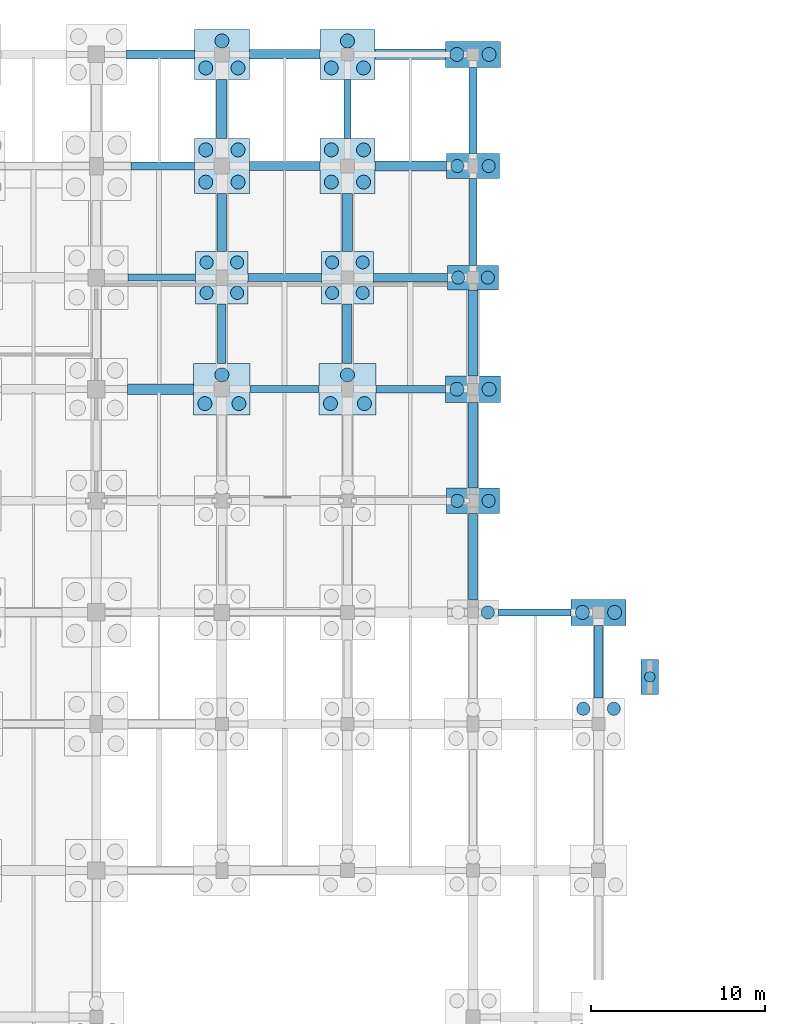
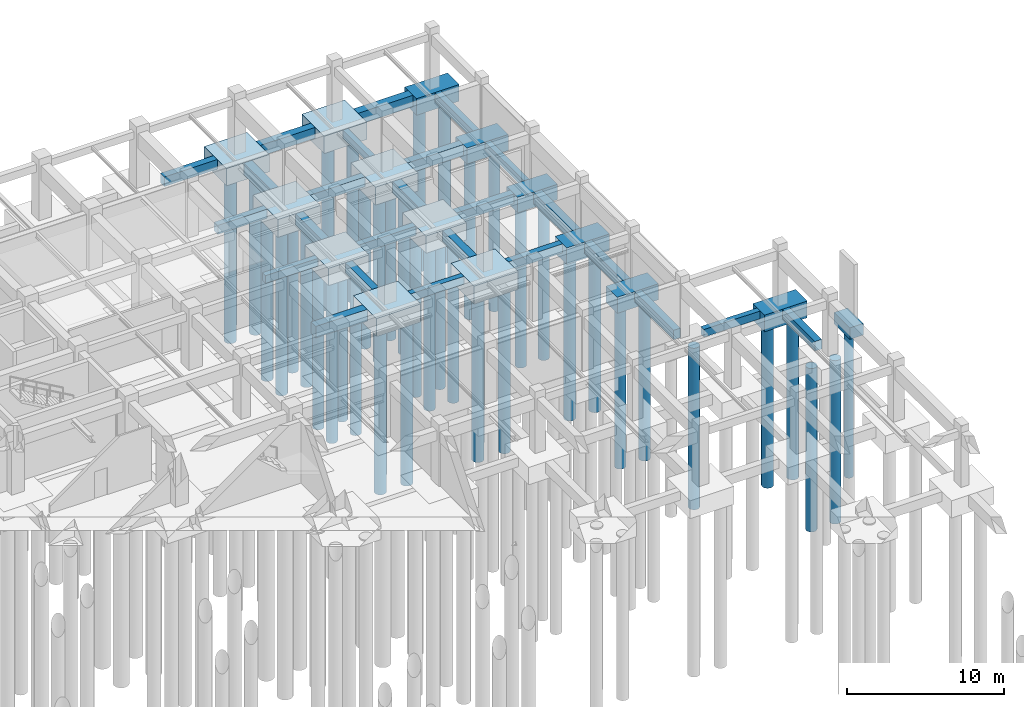
# One storey, part 15 of 44: 44 piles, 40 footings.
"""IFC4 building model written with IfcOpenShell, lengths in metres."""

import ifcopenshell
import ifcopenshell.guid

model = None  # the IFC model being written
_history = None  # IfcOwnerHistory: only IFC2X3 demands one
_inside = {}  # id of a spatial element -> (the spatial element, [elements in it])
_under = {}  # id of a project, library or spatial element -> (it, [spatial elements below it])
_declared = {}  # id of a project -> (the project, [libraries it declares])
_typed = {}  # id of a type object -> (the type object, [elements of that type])
_made_of = {}  # id of a material, layer set ... -> (it, [elements and type objects made of it])


def new_model(schema):
    """Start an empty IFC model of exactly this schema.

    Asked for "IFC4X3", IfcOpenShell would pick the latest addendum, in which some entities
    have other attributes; the version numbers below select the first issue.
    IFC2X3 requires an IfcOwnerHistory on every rooted entity: one is made here for all.
    """
    global model, _history
    if schema == "IFC4X3":
        model = ifcopenshell.file(schema_version=(4, 3, 0, 0))
    else:
        model = ifcopenshell.file(schema=schema)
    _inside.clear()
    _under.clear()
    _declared.clear()
    _typed.clear()
    _made_of.clear()
    _history = None
    if model.schema == "IFC2X3":
        org = make("IfcOrganization", Name="unknown")
        user = make(
            "IfcPersonAndOrganization",
            ThePerson=make("IfcPerson", FamilyName="unknown"),
            TheOrganization=org,
        )
        app = make(
            "IfcApplication",
            ApplicationDeveloper=org,
            Version="unknown",
            ApplicationFullName="unknown",
            ApplicationIdentifier="unknown",
        )
        _history = make(
            "IfcOwnerHistory",
            OwningUser=user,
            OwningApplication=app,
            ChangeAction="ADDED",
            CreationDate=0,
        )
    return model


def make(cls, **values):
    """One entity of the class cls with the attributes given. An attribute that is None is left unset."""
    return model.create_entity(
        cls, **{name: value for name, value in values.items() if value is not None}
    )


def rooted(cls, **values):
    """An entity with a GlobalId (a new one), such as an element, a storey or a relation."""
    return make(cls, GlobalId=ifcopenshell.guid.new(), OwnerHistory=_history, **values)


def si_unit(unit_type, name, prefix=None):
    """IfcSIUnit, for example si_unit("LENGTHUNIT", "METRE", prefix="MILLI")."""
    return make("IfcSIUnit", UnitType=unit_type, Prefix=prefix, Name=name)


def assignment(units):
    """IfcUnitAssignment: the units of a project."""
    return None if units is None else make("IfcUnitAssignment", Units=units)


def point(xyz):
    """IfcCartesianPoint."""
    return None if xyz is None else make("IfcCartesianPoint", Coordinates=xyz)


def direction(xyz):
    """IfcDirection."""
    return None if xyz is None else make("IfcDirection", DirectionRatios=xyz)


def frame(location, z_axis=None, x_axis=None):
    """IfcAxis2Placement3D, a coordinate frame: its origin and axes. An axis left out is left unset."""
    return make(
        "IfcAxis2Placement3D",
        Location=point(location),
        Axis=direction(z_axis),
        RefDirection=direction(x_axis),
    )


def frame_2d(location, x_axis=None):
    """IfcAxis2Placement2D, a coordinate frame in the plane: its origin and x axis."""
    return make(
        "IfcAxis2Placement2D", Location=point(location), RefDirection=direction(x_axis)
    )


def origin():
    """The frame at (0, 0, 0) with its axes left unset."""
    return frame((0.0, 0.0, 0.0))


def origin_2d():
    """The frame at (0, 0) in the plane with its x axis left unset."""
    return frame_2d((0.0, 0.0))


def place(relative_to, where):
    """IfcLocalPlacement: puts the frame where relative to a parent placement (None: the world)."""
    return make(
        "IfcLocalPlacement", PlacementRelTo=relative_to, RelativePlacement=where
    )


def context(
    kind, dimensions, precision=None, world=None, true_north=None, identifier=None
):
    """IfcGeometricRepresentationContext, for example the 3D "Model" context."""
    return make(
        "IfcGeometricRepresentationContext",
        ContextIdentifier=identifier,
        ContextType=kind,
        CoordinateSpaceDimension=dimensions,
        Precision=precision,
        WorldCoordinateSystem=world,
        TrueNorth=true_north,
    )


def subcontext(parent, identifier, kind, view, scale=None):
    """IfcGeometricRepresentationSubContext, for example "Body" below "Model"."""
    return make(
        "IfcGeometricRepresentationSubContext",
        ContextIdentifier=identifier,
        ContextType=kind,
        ParentContext=parent,
        TargetScale=scale,
        TargetView=view,
    )


def project(units=None, contexts=None):
    """IfcProject with its units and contexts."""
    return rooted(
        "IfcProject",
        Name="project",
        RepresentationContexts=contexts,
        UnitsInContext=assignment(units),
    )


def spatial(cls, under=None, at=None, **own):
    """A site, building, storey or space (cls), placed at a placement, below another one or the project."""
    s = rooted(cls, ObjectPlacement=at, **own)
    if under is not None:
        _under.setdefault(under.id(), (under, []))[1].append(s)
    return s


def profile(cls, at=None, kind="AREA", **sizes):
    """A parametric profile (cls). Its sizes go by their IFC names, for example OverallWidth=200.0."""
    return make(cls, ProfileType=kind, Position=at, **sizes)


def rectangle(**sizes):
    """IfcRectangleProfileDef."""
    return profile("IfcRectangleProfileDef", **sizes)


def circle(**sizes):
    """IfcCircleProfileDef."""
    return profile("IfcCircleProfileDef", **sizes)


def extrude(swept, where, along, depth):
    """IfcExtrudedAreaSolid: the profile swept, set in the frame where, extruded along a direction by depth."""
    return make(
        "IfcExtrudedAreaSolid",
        SweptArea=swept,
        Position=where,
        ExtrudedDirection=direction(along),
        Depth=depth,
    )


def shape(context_of_items, identifier, shape_type, items):
    """IfcShapeRepresentation: the items that make up one representation, for example the "Body"."""
    return make(
        "IfcShapeRepresentation",
        ContextOfItems=context_of_items,
        RepresentationIdentifier=identifier,
        RepresentationType=shape_type,
        Items=items,
    )


def material(Name=None, Category=None):
    """IfcMaterial."""
    return make("IfcMaterial", Name=Name, Category=Category)


def material_profile(
    of_material, cross_section, Name=None, Category=None, Priority=None
):
    """IfcMaterialProfile: a cross section and its material."""
    return make(
        "IfcMaterialProfile",
        Name=Name,
        Material=of_material,
        Profile=cross_section,
        Priority=Priority,
        Category=Category,
    )


def profile_set(profiles, Name=None, composite=None):
    """IfcMaterialProfileSet."""
    return make(
        "IfcMaterialProfileSet",
        Name=Name,
        MaterialProfiles=profiles,
        CompositeProfile=composite,
    )


def made_of(thing, what):
    """Note that an element or type object is made of a material, layer set ...; save() writes the relation."""
    if what is not None:
        _made_of.setdefault(what.id(), (what, []))[1].append(thing)
    return thing


def type_object(cls, material=None, **own):
    """A type object (cls), such as IfcWallType, which elements share."""
    return made_of(rooted(cls, **own), material)


def element(
    cls,
    number,
    at=None,
    inside=None,
    cuts=None,
    type_object=None,
    material=None,
    context=None,
    identifier="Body",
    shape_type=None,
    held_by="IfcProductDefinitionShape",
    body=None,
    shapes=None,
    **own,
):
    """One element of the class cls, such as IfcWall. Its Tag is "e" and its number.

    at: its placement. inside: the storey or other place that contains it. cuts: it is an
    opening in that element (IfcRelVoidsElement). A single representation is given by context,
    identifier, shape_type and body (its items); several are given by shapes. held_by: the class
    of the entity that holds the representations. save() writes the other relations.
    """
    e = rooted(cls, Tag="e%d" % number, ObjectPlacement=at, **own)
    if body is not None:
        shapes = [shape(context, identifier, shape_type, body)]
    if shapes is not None:
        e.Representation = make(held_by, Representations=shapes)
    if inside is not None:
        _inside.setdefault(inside.id(), (inside, []))[1].append(e)
    if cuts is not None:
        rooted(
            "IfcRelVoidsElement", RelatingBuildingElement=cuts, RelatedOpeningElement=e
        )
    if type_object is not None:
        _typed.setdefault(type_object.id(), (type_object, []))[1].append(e)
    return made_of(e, material)


def aggregate(whole, parts):
    """IfcRelAggregates: a whole, such as a stair, and the parts it consists of."""
    return rooted("IfcRelAggregates", RelatingObject=whole, RelatedObjects=parts)


def save(model, path):
    """Write the relations noted so far, then the file.

    IfcRelAggregates (storeys below a building ...), IfcRelContainedInSpatialStructure (elements
    in a storey), IfcRelDefinesByType, IfcRelAssociatesMaterial and IfcRelDeclares: one each for
    every whole, place, type object, material and project.
    """
    for whole, parts in _under.values():
        aggregate(whole, parts)
    for where, things in _inside.values():
        rooted(
            "IfcRelContainedInSpatialStructure",
            RelatedElements=things,
            RelatingStructure=where,
        )
    for kind, things in _typed.values():
        rooted("IfcRelDefinesByType", RelatedObjects=things, RelatingType=kind)
    for what, things in _made_of.values():
        rooted("IfcRelAssociatesMaterial", RelatedObjects=things, RelatingMaterial=what)
    for by, libraries in _declared.values():
        rooted("IfcRelDeclares", RelatingContext=by, RelatedDefinitions=libraries)
    model.write(path)


model = new_model("IFC4")

# Units and contexts
model_context = context("Model", 3, precision=1e-05, world=origin(), true_north=direction((0.0, 1.0)))
body_context = subcontext(model_context, "Body", "Model", "MODEL_VIEW")
ifc_project = project(units=[si_unit("LENGTHUNIT", "METRE"), si_unit("AREAUNIT", "SQUARE_METRE"), si_unit("VOLUMEUNIT", "CUBIC_METRE"), si_unit("PLANEANGLEUNIT", "RADIAN"), si_unit("MASSUNIT", "GRAM", prefix="KILO")], contexts=[model_context])

# Site, building, storey
site_placement = place(None, origin())
site = spatial("IfcSite", under=ifc_project, at=site_placement, CompositionType="ELEMENT")
building_placement = place(site_placement, origin())
building = spatial("IfcBuilding", under=site, at=building_placement, Name="Korsvaeld Concert Hall", CompositionType="ELEMENT")
storey_placement = place(building_placement, frame((0.0, 0.0, -4.800048828125)))
storey = spatial("IfcBuildingStorey", under=building, at=storey_placement, Name="B1", CompositionType="ELEMENT", Elevation=-4.800048828125)

# Footings
ifc_material = material(Name="Concrete C35/45", Category="concrete")
ifc_material_profile_1 = material_profile(ifc_material, rectangle(XDim=0.39990234375, YDim=0.60009765625, at=origin_2d()), Name="GTB 400x600")
ifc_profile_set_1 = profile_set([ifc_material_profile_1], Name="Concrete C35/45")
footing_type_1 = type_object("IfcFootingType", Name="GTB-400x600", PredefinedType="FOOTING_BEAM", material=ifc_profile_set_1)
footing_1_placement = place(storey_placement, frame((147.875, 83.199951171875, -0.300048828125), z_axis=(1.0, 0.0, 0.0), x_axis=(0.0, 1.0, 0.0)))
element("IfcFooting", 1, at=footing_1_placement, inside=storey, type_object=footing_type_1, Name="Ground tie beam 20-21/M", PredefinedType="FOOTING_BEAM", context=body_context, shape_type="SweptSolid", body=[
    extrude(rectangle(XDim=0.39990234375, YDim=0.60009765625, at=origin_2d()), origin(), (0.0, 0.0, 1.0), 4.14990234375),
])
footing_2_placement = place(storey_placement, frame((133.625, 96.0, -0.300048828125), z_axis=(1.0, 0.0, 0.0), x_axis=(0.0, 1.0, 0.0)))
element("IfcFooting", 2, at=footing_2_placement, inside=storey, type_object=footing_type_1, Name="Ground tie beam 18-19/P", PredefinedType="FOOTING_BEAM", context=body_context, shape_type="SweptSolid", body=[
    extrude(rectangle(XDim=0.39990234375, YDim=0.60009765625, at=origin_2d()), origin(), (0.0, 0.0, 1.0), 3.949951171875),
])
footing_3_placement = place(storey_placement, frame((126.625, 102.39990234375, -0.300048828125), z_axis=(1.0, 0.0, 0.0), x_axis=(0.0, 1.0, 0.0)))
element("IfcFooting", 3, at=footing_3_placement, inside=storey, type_object=footing_type_1, Name="Ground tie beam 17-18/Q", PredefinedType="FOOTING_BEAM", context=body_context, shape_type="SweptSolid", body=[
    extrude(rectangle(XDim=0.39990234375, YDim=0.60009765625, at=origin_2d()), origin(), (0.0, 0.0, 1.0), 3.875),
])
footing_4_placement = place(storey_placement, frame((139.199951171875, 110.375, -0.300048828125), z_axis=(0.0, 1.0, 0.0), x_axis=(-1.0, 0.0, 0.0)))
element("IfcFooting", 4, at=footing_4_placement, inside=storey, type_object=footing_type_1, Name="Ground tie beam 19/R-S", PredefinedType="FOOTING_BEAM", context=body_context, shape_type="SweptSolid", body=[
    extrude(rectangle(XDim=0.39990234375, YDim=0.60009765625, at=origin_2d()), origin(), (0.0, 0.0, 1.0), 3.39990234375),
])
footing_5_placement = place(storey_placement, frame((146.39990234375, 103.10009765625, -0.300048828125), z_axis=(0.0, 1.0, 0.0), x_axis=(-1.0, 0.0, 0.0)))
element("IfcFooting", 5, at=footing_5_placement, inside=storey, type_object=footing_type_1, Name="Ground tie beam 20/Q-R", PredefinedType="FOOTING_BEAM", context=body_context, shape_type="SweptSolid", body=[
    extrude(rectangle(XDim=0.39990234375, YDim=0.60009765625, at=origin_2d()), origin(), (0.0, 0.0, 1.0), 4.974853515625),
])
ifc_material_profile_2 = material_profile(ifc_material, rectangle(XDim=0.449951171875, YDim=0.699951171875, at=origin_2d()), Name="GTB 450x700")
ifc_profile_set_2 = profile_set([ifc_material_profile_2], Name="Concrete C35/45")
footing_type_2 = type_object("IfcFootingType", Name="GTB-450x700", PredefinedType="FOOTING_BEAM", material=ifc_profile_set_2)
footing_6_placement = place(storey_placement, frame((140.824951171875, 96.0, -0.349853515625), z_axis=(1.0, 0.0, 0.0), x_axis=(0.0, 1.0, 0.0)))
element("IfcFooting", 6, at=footing_6_placement, inside=storey, type_object=footing_type_2, Name="Ground tie beam 19-20/P", PredefinedType="FOOTING_BEAM", context=body_context, shape_type="SweptSolid", body=[
    extrude(rectangle(XDim=0.449951171875, YDim=0.699951171875, at=origin_2d()), origin(), (0.0, 0.0, 1.0), 4.0),
])
footing_7_placement = place(storey_placement, frame((133.5, 102.39990234375, -0.349853515625), z_axis=(1.0, 0.0, 0.0), x_axis=(0.0, 1.0, 0.0)))
element("IfcFooting", 7, at=footing_7_placement, inside=storey, type_object=footing_type_2, Name="Ground tie beam 18-19/Q", PredefinedType="FOOTING_BEAM", context=body_context, shape_type="SweptSolid", body=[
    extrude(rectangle(XDim=0.449951171875, YDim=0.699951171875, at=origin_2d()), origin(), (0.0, 0.0, 1.0), 4.199951171875),
])
footing_8_placement = place(storey_placement, frame((126.77490234375, 108.800048828125, -0.349853515625), z_axis=(1.0, 0.0, 0.0), x_axis=(0.0, 1.0, 0.0)))
element("IfcFooting", 8, at=footing_8_placement, inside=storey, type_object=footing_type_2, Name="Ground tie beam 17-18/R", PredefinedType="FOOTING_BEAM", context=body_context, shape_type="SweptSolid", body=[
    extrude(rectangle(XDim=0.449951171875, YDim=0.699951171875, at=origin_2d()), origin(), (0.0, 0.0, 1.0), 3.650146484375),
])
footing_9_placement = place(storey_placement, frame((146.39990234375, 109.52490234375, -0.349853515625), z_axis=(0.0, 1.0, 0.0), x_axis=(-1.0, 0.0, 0.0)))
element("IfcFooting", 9, at=footing_9_placement, inside=storey, type_object=footing_type_2, Name="Ground tie beam 20/R-S", PredefinedType="FOOTING_BEAM", context=body_context, shape_type="SweptSolid", body=[
    extrude(rectangle(XDim=0.449951171875, YDim=0.699951171875, at=origin_2d()), origin(), (0.0, 0.0, 1.0), 4.925048828125),
])
ifc_material_profile_3 = material_profile(ifc_material, rectangle(XDim=0.5, YDim=0.75, at=origin_2d()), Name="GTB 500x750")
ifc_profile_set_3 = profile_set([ifc_material_profile_3], Name="Concrete C35/45")
footing_type_3 = type_object("IfcFootingType", Name="GTB-500x750", PredefinedType="FOOTING_BEAM", material=ifc_profile_set_3)
footing_10_placement = place(storey_placement, frame((140.699951171875, 102.39990234375, -0.375), z_axis=(1.0, 0.0, 0.0), x_axis=(0.0, 1.0, 0.0)))
element("IfcFooting", 10, at=footing_10_placement, inside=storey, type_object=footing_type_3, Name="Ground tie beam 19-20/Q", PredefinedType="FOOTING_BEAM", context=body_context, shape_type="SweptSolid", body=[
    extrude(rectangle(XDim=0.5, YDim=0.75, at=origin_2d()), origin(), (0.0, 0.0, 1.0), 4.22509765625),
])
footing_11_placement = place(storey_placement, frame((133.574951171875, 108.800048828125, -0.375), z_axis=(1.0, 0.0, 0.0), x_axis=(0.0, 1.0, 0.0)))
element("IfcFooting", 11, at=footing_11_placement, inside=storey, type_object=footing_type_3, Name="Ground tie beam 18-19/R", PredefinedType="FOOTING_BEAM", context=body_context, shape_type="SweptSolid", body=[
    extrude(rectangle(XDim=0.5, YDim=0.75, at=origin_2d()), origin(), (0.0, 0.0, 1.0), 4.050048828125),
])
footing_12_placement = place(storey_placement, frame((126.52490234375, 115.199951171875, -0.375), z_axis=(1.0, 0.0, 0.0), x_axis=(0.0, 1.0, 0.0)))
element("IfcFooting", 12, at=footing_12_placement, inside=storey, type_object=footing_type_3, Name="Ground tie beam 17-18/S", PredefinedType="FOOTING_BEAM", context=body_context, shape_type="SweptSolid", body=[
    extrude(rectangle(XDim=0.5, YDim=0.75, at=origin_2d()), origin(), (0.0, 0.0, 1.0), 3.900146484375),
])
footing_13_placement = place(storey_placement, frame((132.0, 97.47509765625, -0.375), z_axis=(0.0, 1.0, 0.0), x_axis=(-1.0, 0.0, 0.0)))
element("IfcFooting", 13, at=footing_13_placement, inside=storey, type_object=footing_type_3, Name="Ground tie beam 18/P-Q", PredefinedType="FOOTING_BEAM", context=body_context, shape_type="SweptSolid", body=[
    extrude(rectangle(XDim=0.5, YDim=0.75, at=origin_2d()), origin(), (0.0, 0.0, 1.0), 3.4248046875),
])
footing_14_placement = place(storey_placement, frame((146.39990234375, 83.89990234375, -0.375), z_axis=(0.0, 1.0, 0.0), x_axis=(-1.0, 0.0, 0.0)))
element("IfcFooting", 14, at=footing_14_placement, inside=storey, type_object=footing_type_3, Name="Ground tie beam 20/M-N", PredefinedType="FOOTING_BEAM", context=body_context, shape_type="SweptSolid", body=[
    extrude(rectangle(XDim=0.5, YDim=0.75, at=origin_2d()), origin(), (0.0, 0.0, 1.0), 4.97509765625),
])
footing_15_placement = place(storey_placement, frame((153.60009765625, 78.300048828125, -0.375), z_axis=(0.0, 1.0, 0.0), x_axis=(-1.0, 0.0, 0.0)))
element("IfcFooting", 15, at=footing_15_placement, inside=storey, type_object=footing_type_3, Name="Ground tie beam 21/L-M", PredefinedType="FOOTING_BEAM", context=body_context, shape_type="SweptSolid", body=[
    extrude(rectangle(XDim=0.5, YDim=0.75, at=origin_2d()), origin(), (0.0, 0.0, 1.0), 4.14990234375),
])
ifc_material_profile_4 = material_profile(ifc_material, rectangle(XDim=0.550048828125, YDim=0.85009765625, at=origin_2d()), Name="GTB 550x850")
ifc_profile_set_4 = profile_set([ifc_material_profile_4], Name="Concrete C35/45")
footing_type_4 = type_object("IfcFootingType", Name="GTB-550x850", PredefinedType="FOOTING_BEAM", material=ifc_profile_set_4)
footing_16_placement = place(storey_placement, frame((140.77490234375, 108.800048828125, -0.425048828125), z_axis=(1.0, 0.0, 0.0), x_axis=(0.0, 1.0, 0.0)))
element("IfcFooting", 16, at=footing_16_placement, inside=storey, type_object=footing_type_4, Name="Ground tie beam 19-20/R", PredefinedType="FOOTING_BEAM", context=body_context, shape_type="SweptSolid", body=[
    extrude(rectangle(XDim=0.550048828125, YDim=0.85009765625, at=origin_2d()), origin(), (0.0, 0.0, 1.0), 4.10009765625),
])
footing_17_placement = place(storey_placement, frame((133.574951171875, 115.199951171875, -0.425048828125), z_axis=(1.0, 0.0, 0.0), x_axis=(0.0, 1.0, 0.0)))
element("IfcFooting", 17, at=footing_17_placement, inside=storey, type_object=footing_type_4, Name="Ground tie beam 18-19/S", PredefinedType="FOOTING_BEAM", context=body_context, shape_type="SweptSolid", body=[
    extrude(rectangle(XDim=0.550048828125, YDim=0.85009765625, at=origin_2d()), origin(), (0.0, 0.0, 1.0), 4.050048828125),
])
footing_18_placement = place(storey_placement, frame((132.0, 103.89990234375, -0.425048828125), z_axis=(0.0, 1.0, 0.0), x_axis=(-1.0, 0.0, 0.0)))
element("IfcFooting", 18, at=footing_18_placement, inside=storey, type_object=footing_type_4, Name="Ground tie beam 18/Q-R", PredefinedType="FOOTING_BEAM", context=body_context, shape_type="SweptSolid", body=[
    extrude(rectangle(XDim=0.550048828125, YDim=0.85009765625, at=origin_2d()), origin(), (0.0, 0.0, 1.0), 3.3251953125),
])
footing_19_placement = place(storey_placement, frame((139.199951171875, 97.47509765625, -0.425048828125), z_axis=(0.0, 1.0, 0.0), x_axis=(-1.0, 0.0, 0.0)))
element("IfcFooting", 19, at=footing_19_placement, inside=storey, type_object=footing_type_4, Name="Ground tie beam 19/P-Q", PredefinedType="FOOTING_BEAM", context=body_context, shape_type="SweptSolid", body=[
    extrude(rectangle(XDim=0.550048828125, YDim=0.85009765625, at=origin_2d()), origin(), (0.0, 0.0, 1.0), 3.4248046875),
])
footing_20_placement = place(storey_placement, frame((146.39990234375, 90.324951171875, -0.425048828125), z_axis=(0.0, 1.0, 0.0), x_axis=(-1.0, 0.0, 0.0)))
element("IfcFooting", 20, at=footing_20_placement, inside=storey, type_object=footing_type_4, Name="Ground tie beam 20/N-P", PredefinedType="FOOTING_BEAM", context=body_context, shape_type="SweptSolid", body=[
    extrude(rectangle(XDim=0.550048828125, YDim=0.85009765625, at=origin_2d()), origin(), (0.0, 0.0, 1.0), 4.925048828125),
])
ifc_material_profile_5 = material_profile(ifc_material, rectangle(XDim=0.60009765625, YDim=0.89990234375, at=origin_2d()), Name="GTB 600x900")
ifc_profile_set_5 = profile_set([ifc_material_profile_5], Name="Concrete C35/45")
footing_type_5 = type_object("IfcFootingType", Name="GTB-600x900", PredefinedType="FOOTING_BEAM", material=ifc_profile_set_5)
footing_21_placement = place(storey_placement, frame((126.574951171875, 96.0, -0.449951171875), z_axis=(1.0, 0.0, 0.0), x_axis=(0.0, 1.0, 0.0)))
element("IfcFooting", 21, at=footing_21_placement, inside=storey, type_object=footing_type_5, Name="Ground tie beam 17-18/P", PredefinedType="FOOTING_BEAM", context=body_context, shape_type="SweptSolid", body=[
    extrude(rectangle(XDim=0.60009765625, YDim=0.89990234375, at=origin_2d()), origin(), (0.0, 0.0, 1.0), 3.800048828125),
])
footing_22_placement = place(storey_placement, frame((140.77490234375, 115.199951171875, -0.449951171875), z_axis=(1.0, 0.0, 0.0), x_axis=(0.0, 1.0, 0.0)))
element("IfcFooting", 22, at=footing_22_placement, inside=storey, type_object=footing_type_5, Name="Ground tie beam 19-20/S", PredefinedType="FOOTING_BEAM", context=body_context, shape_type="SweptSolid", body=[
    extrude(rectangle(XDim=0.60009765625, YDim=0.89990234375, at=origin_2d()), origin(), (0.0, 0.0, 1.0), 4.050048828125),
])
footing_23_placement = place(storey_placement, frame((132.0, 110.375, -0.449951171875), z_axis=(0.0, 1.0, 0.0), x_axis=(-1.0, 0.0, 0.0)))
element("IfcFooting", 23, at=footing_23_placement, inside=storey, type_object=footing_type_5, Name="Ground tie beam 18/R-S", PredefinedType="FOOTING_BEAM", context=body_context, shape_type="SweptSolid", body=[
    extrude(rectangle(XDim=0.60009765625, YDim=0.89990234375, at=origin_2d()), origin(), (0.0, 0.0, 1.0), 3.39990234375),
])
footing_24_placement = place(storey_placement, frame((139.199951171875, 103.89990234375, -0.449951171875), z_axis=(0.0, 1.0, 0.0), x_axis=(-1.0, 0.0, 0.0)))
element("IfcFooting", 24, at=footing_24_placement, inside=storey, type_object=footing_type_5, Name="Ground tie beam 19/Q-R", PredefinedType="FOOTING_BEAM", context=body_context, shape_type="SweptSolid", body=[
    extrude(rectangle(XDim=0.60009765625, YDim=0.89990234375, at=origin_2d()), origin(), (0.0, 0.0, 1.0), 3.3251953125),
])
footing_25_placement = place(storey_placement, frame((146.39990234375, 96.75, -0.449951171875), z_axis=(0.0, 1.0, 0.0), x_axis=(-1.0, 0.0, 0.0)))
element("IfcFooting", 25, at=footing_25_placement, inside=storey, type_object=footing_type_5, Name="Ground tie beam 20/P-Q", PredefinedType="FOOTING_BEAM", context=body_context, shape_type="SweptSolid", body=[
    extrude(rectangle(XDim=0.60009765625, YDim=0.89990234375, at=origin_2d()), origin(), (0.0, 0.0, 1.0), 4.949951171875),
])
footing_type_6 = type_object("IfcFootingType", Name="PC-2P-240x130x120", PredefinedType="PILE_CAP", material=ifc_material)
footing_26_placement = place(storey_placement, frame((146.39990234375, 102.39990234375, -1.19970703125), z_axis=(0.0, 0.0, 1.0), x_axis=(1.0, 0.0, 0.0)))
element("IfcFooting", 26, at=footing_26_placement, inside=storey, type_object=footing_type_6, Name="Pile cap 20/Q", PredefinedType="PILE_CAP", context=body_context, shape_type="SweptSolid", body=[
    extrude(rectangle(XDim=2.949951171875, YDim=1.39990234375, at=origin_2d()), origin(), (0.0, 0.0, 1.0), 1.199951171875),
])
footing_type_7 = type_object("IfcFootingType", Name="PC-2P-260x140x125", PredefinedType="PILE_CAP", material=ifc_material)
for number, where, z_axis, x_axis, name in (
    (27, (146.39990234375, 89.60009765625, -1.25), (0.0, 0.0, 1.0), (1.0, 0.0, 0.0), "Pile cap 20/N"),
    (28, (146.39990234375, 108.800048828125, -1.25), (0.0, 0.0, 1.0), (1.0, 0.0, 0.0), "Pile cap 20/R"),
):
    element("IfcFooting", number, at=place(storey_placement, frame(where, z_axis=z_axis, x_axis=x_axis)), inside=storey, type_object=footing_type_7, Name=name, PredefinedType="PILE_CAP", context=body_context, shape_type="SweptSolid", body=[
        extrude(rectangle(XDim=3.050048828125, YDim=1.449951171875, at=origin_2d()), origin(), (0.0, 0.0, 1.0), 1.25),
    ])
footing_type_8 = type_object("IfcFootingType", Name="PC-2P-280x150x130", PredefinedType="PILE_CAP", material=ifc_material)
for number, where, z_axis, x_axis, name in (
    (29, (146.39990234375, 96.0, -1.2998046875), (0.0, 0.0, 1.0), (1.0, 0.0, 0.0), "Pile cap 20/P"),
    (30, (146.39990234375, 115.199951171875, -1.2998046875), (0.0, 0.0, 1.0), (1.0, 0.0, 0.0), "Pile cap 20/S"),
    (31, (153.60009765625, 83.199951171875, -1.2998046875), (0.0, 0.0, 1.0), (1.0, 0.0, 0.0), "Pile cap 21/M"),
):
    element("IfcFooting", number, at=place(storey_placement, frame(where, z_axis=z_axis, x_axis=x_axis)), inside=storey, type_object=footing_type_8, Name=name, PredefinedType="PILE_CAP", context=body_context, shape_type="SweptSolid", body=[
        extrude(rectangle(XDim=3.14990234375, YDim=1.5, at=origin_2d()), origin(), (0.0, 0.0, 1.0), 1.300048828125),
    ])
footing_type_9 = type_object("IfcFootingType", Name="PC-3P-290x260x135", PredefinedType="PILE_CAP", material=ifc_material)
for number, where, z_axis, x_axis, name in (
    (32, (132.0, 115.199951171875, -1.35009765625), (0.0, 0.0, 1.0), (1.0, 0.0, 0.0), "Pile cap 18/S"),
    (33, (139.199951171875, 115.199951171875, -1.35009765625), (0.0, 0.0, 1.0), (1.0, 0.0, 0.0), "Pile cap 19/S"),
):
    element("IfcFooting", number, at=place(storey_placement, frame(where, z_axis=z_axis, x_axis=x_axis)), inside=storey, type_object=footing_type_9, Name=name, PredefinedType="PILE_CAP", context=body_context, shape_type="SweptSolid", body=[
        extrude(rectangle(XDim=3.14990234375, YDim=2.85009765625, at=origin_2d()), origin(), (0.0, 0.0, 1.0), 1.35009765625),
    ])
footing_type_10 = type_object("IfcFootingType", Name="PC-3P-310x280x140", PredefinedType="PILE_CAP", material=ifc_material)
for number, where, z_axis, x_axis, name in (
    (34, (132.0, 96.0, -1.39990234375), (0.0, 0.0, 1.0), (1.0, 0.0, 0.0), "Pile cap 18/P"),
    (35, (139.199951171875, 96.0, -1.39990234375), (0.0, 0.0, 1.0), (1.0, 0.0, 0.0), "Pile cap 19/P"),
):
    element("IfcFooting", number, at=place(storey_placement, frame(where, z_axis=z_axis, x_axis=x_axis)), inside=storey, type_object=footing_type_10, Name=name, PredefinedType="PILE_CAP", context=body_context, shape_type="SweptSolid", body=[
        extrude(rectangle(XDim=3.25, YDim=2.949951171875, at=origin_2d()), origin(), (0.0, 0.0, 1.0), 1.39990234375),
    ])
footing_type_11 = type_object("IfcFootingType", Name="PC-4P-280x280x135", PredefinedType="PILE_CAP", material=ifc_material)
for number, where, z_axis, x_axis, name in (
    (36, (132.0, 102.39990234375, -1.35009765625), (0.0, 0.0, 1.0), (1.0, 0.0, 0.0), "Pile cap 18/Q"),
    (37, (139.199951171875, 102.39990234375, -1.35009765625), (0.0, 0.0, 1.0), (1.0, 0.0, 0.0), "Pile cap 19/Q"),
):
    element("IfcFooting", number, at=place(storey_placement, frame(where, z_axis=z_axis, x_axis=x_axis)), inside=storey, type_object=footing_type_11, Name=name, PredefinedType="PILE_CAP", context=body_context, shape_type="SweptSolid", body=[
        extrude(rectangle(XDim=3.0, YDim=3.0, at=origin_2d()), origin(), (0.0, 0.0, 1.0), 1.35009765625),
    ])
footing_type_12 = type_object("IfcFootingType", Name="PC-4P-300x300x140", PredefinedType="PILE_CAP", material=ifc_material)
for number, where, z_axis, x_axis, name in (
    (38, (132.0, 108.800048828125, -1.39990234375), (0.0, 0.0, 1.0), (1.0, 0.0, 0.0), "Pile cap 18/R"),
    (39, (139.199951171875, 108.800048828125, -1.39990234375), (0.0, 0.0, 1.0), (1.0, 0.0, 0.0), "Pile cap 19/R"),
):
    element("IfcFooting", number, at=place(storey_placement, frame(where, z_axis=z_axis, x_axis=x_axis)), inside=storey, type_object=footing_type_12, Name=name, PredefinedType="PILE_CAP", context=body_context, shape_type="SweptSolid", body=[
        extrude(rectangle(XDim=3.14990234375, YDim=3.14990234375, at=origin_2d()), origin(), (0.0, 0.0, 1.0), 1.39990234375),
    ])
footing_type_13 = type_object("IfcFootingType", Name="PF-RAMP-200x100x90", PredefinedType="PAD_FOOTING", material=ifc_material)
footing_27_placement = place(storey_placement, frame((156.5400390625, 79.5, -0.89990234375), z_axis=(0.0, 0.0, 1.0), x_axis=(0.0, 1.0, 0.0)))
element("IfcFooting", 40, at=footing_27_placement, inside=storey, type_object=footing_type_13, Name="Ramp toe foundation RMP-E1", PredefinedType="PAD_FOOTING", context=body_context, shape_type="SweptSolid", body=[
    extrude(rectangle(XDim=2.0, YDim=1.0, at=origin_2d()), origin(), (0.0, 0.0, 1.0), 0.89990234375),
])

# Piles
ifc_material_profile_6 = material_profile(ifc_material, circle(Radius=0.300048828125, at=origin_2d()), Name="BORED PILE D600")
ifc_profile_set_6 = profile_set([ifc_material_profile_6], Name="Concrete C35/45")
pile_type_1 = type_object("IfcPileType", Name="PILE-D600", PredefinedType="BORED", material=ifc_profile_set_6)
pile_1_placement = place(storey_placement, frame((156.5400390625, 79.5, -0.800048828125), z_axis=(0.0, 0.0, -1.0), x_axis=(1.0, 0.0, 0.0)))
element("IfcPile", 41, at=pile_1_placement, inside=storey, type_object=pile_type_1, Name="Ramp toe bored pile RMP-E1", PredefinedType="BORED", context=body_context, shape_type="SweptSolid", body=[
    extrude(circle(Radius=0.300048828125, at=origin_2d()), origin(), (0.0, 0.0, 1.0), 11.5),
])
ifc_material_profile_7 = material_profile(ifc_material, circle(Radius=0.375, at=origin_2d()), Name="BORED PILE D750")
ifc_profile_set_7 = profile_set([ifc_material_profile_7], Name="Concrete C35/45")
pile_type_2 = type_object("IfcPileType", Name="PILE-D750", PredefinedType="BORED", material=ifc_profile_set_7)
for number, where, z_axis, x_axis, name in (
    (42, (131.125, 101.52490234375, -1.25), (0.0, 0.0, -1.0), (1.0, 0.0, 0.0), "Bored pile 18/Q-1"),
    (43, (132.875, 101.52490234375, -1.25), (0.0, 0.0, -1.0), (1.0, 0.0, 0.0), "Bored pile 18/Q-2"),
    (44, (131.125, 103.27490234375, -1.25), (0.0, 0.0, -1.0), (1.0, 0.0, 0.0), "Bored pile 18/Q-3"),
    (45, (132.875, 103.27490234375, -1.25), (0.0, 0.0, -1.0), (1.0, 0.0, 0.0), "Bored pile 18/Q-4"),
    (46, (138.324951171875, 101.52490234375, -1.25), (0.0, 0.0, -1.0), (1.0, 0.0, 0.0), "Bored pile 19/Q-1"),
    (47, (140.074951171875, 101.52490234375, -1.25), (0.0, 0.0, -1.0), (1.0, 0.0, 0.0), "Bored pile 19/Q-2"),
    (48, (138.324951171875, 103.27490234375, -1.25), (0.0, 0.0, -1.0), (1.0, 0.0, 0.0), "Bored pile 19/Q-3"),
    (49, (140.074951171875, 103.27490234375, -1.25), (0.0, 0.0, -1.0), (1.0, 0.0, 0.0), "Bored pile 19/Q-4"),
):
    element("IfcPile", number, at=place(storey_placement, frame(where, z_axis=z_axis, x_axis=x_axis)), inside=storey, type_object=pile_type_2, Name=name, PredefinedType="BORED", context=body_context, shape_type="SweptSolid", body=[
        extrude(circle(Radius=0.375, at=origin_2d()), origin(), (0.0, 0.0, 1.0), 12.75),
    ])
pile_2_placement = place(storey_placement, frame((147.25, 83.199951171875, -1.099853515625), z_axis=(0.0, 0.0, -1.0), x_axis=(1.0, 0.0, 0.0)))
element("IfcPile", 50, at=pile_2_placement, inside=storey, type_object=pile_type_2, Name="Bored pile 20/M-2", PredefinedType="BORED", context=body_context, shape_type="SweptSolid", body=[
    extrude(circle(Radius=0.375, at=origin_2d()), origin(), (0.0, 0.0, 1.0), 12.60009765625),
])
for number, where, z_axis, x_axis, name in (
    (51, (145.5, 89.60009765625, -1.14990234375), (0.0, 0.0, -1.0), (1.0, 0.0, 0.0), "Bored pile 20/N-1"),
    (52, (147.300048828125, 89.60009765625, -1.14990234375), (0.0, 0.0, -1.0), (1.0, 0.0, 0.0), "Bored pile 20/N-2"),
):
    element("IfcPile", number, at=place(storey_placement, frame(where, z_axis=z_axis, x_axis=x_axis)), inside=storey, type_object=pile_type_2, Name=name, PredefinedType="BORED", context=body_context, shape_type="SweptSolid", body=[
        extrude(circle(Radius=0.375, at=origin_2d()), origin(), (0.0, 0.0, 1.0), 12.64990234375),
    ])
for number, where, z_axis, x_axis, name in (
    (53, (145.550048828125, 102.39990234375, -1.099853515625), (0.0, 0.0, -1.0), (1.0, 0.0, 0.0), "Bored pile 20/Q-1"),
    (54, (147.25, 102.39990234375, -1.099853515625), (0.0, 0.0, -1.0), (1.0, 0.0, 0.0), "Bored pile 20/Q-2"),
):
    element("IfcPile", number, at=place(storey_placement, frame(where, z_axis=z_axis, x_axis=x_axis)), inside=storey, type_object=pile_type_2, Name=name, PredefinedType="BORED", context=body_context, shape_type="SweptSolid", body=[
        extrude(circle(Radius=0.375, at=origin_2d()), origin(), (0.0, 0.0, 1.0), 12.60009765625),
    ])
for number, where, z_axis, x_axis, name in (
    (55, (145.5, 108.800048828125, -1.14990234375), (0.0, 0.0, -1.0), (1.0, 0.0, 0.0), "Bored pile 20/R-1"),
    (56, (147.300048828125, 108.800048828125, -1.14990234375), (0.0, 0.0, -1.0), (1.0, 0.0, 0.0), "Bored pile 20/R-2"),
):
    element("IfcPile", number, at=place(storey_placement, frame(where, z_axis=z_axis, x_axis=x_axis)), inside=storey, type_object=pile_type_2, Name=name, PredefinedType="BORED", context=body_context, shape_type="SweptSolid", body=[
        extrude(circle(Radius=0.375, at=origin_2d()), origin(), (0.0, 0.0, 1.0), 12.64990234375),
    ])
for number, where, z_axis, x_axis, name in (
    (57, (152.72509765625, 77.675048828125, -1.25), (0.0, 0.0, -1.0), (1.0, 0.0, 0.0), "Bored pile 21/L-3"),
    (58, (154.47509765625, 77.675048828125, -1.25), (0.0, 0.0, -1.0), (1.0, 0.0, 0.0), "Bored pile 21/L-4"),
):
    element("IfcPile", number, at=place(storey_placement, frame(where, z_axis=z_axis, x_axis=x_axis)), inside=storey, type_object=pile_type_2, Name=name, PredefinedType="BORED", context=body_context, shape_type="SweptSolid", body=[
        extrude(circle(Radius=0.375, at=origin_2d()), origin(), (0.0, 0.0, 1.0), 12.75),
    ])
ifc_material_profile_8 = material_profile(ifc_material, circle(Radius=0.39990234375, at=origin_2d()), Name="BORED PILE D800")
ifc_profile_set_8 = profile_set([ifc_material_profile_8], Name="Concrete C35/45")
pile_type_3 = type_object("IfcPileType", Name="PILE-D800", PredefinedType="BORED", material=ifc_profile_set_8)
for number, where, z_axis, x_axis, name in (
    (59, (131.02490234375, 95.175048828125, -1.300048828125), (0.0, 0.0, -1.0), (1.0, 0.0, 0.0), "Bored pile 18/P-1"),
    (60, (132.97509765625, 95.175048828125, -1.300048828125), (0.0, 0.0, -1.0), (1.0, 0.0, 0.0), "Bored pile 18/P-2"),
    (61, (132.0, 96.824951171875, -1.300048828125), (0.0, 0.0, -1.0), (1.0, 0.0, 0.0), "Bored pile 18/P-3"),
    (62, (131.074951171875, 107.875, -1.300048828125), (0.0, 0.0, -1.0), (1.0, 0.0, 0.0), "Bored pile 18/R-1"),
    (63, (132.925048828125, 107.875, -1.300048828125), (0.0, 0.0, -1.0), (1.0, 0.0, 0.0), "Bored pile 18/R-2"),
    (64, (131.074951171875, 109.72509765625, -1.300048828125), (0.0, 0.0, -1.0), (1.0, 0.0, 0.0), "Bored pile 18/R-3"),
    (65, (132.925048828125, 109.72509765625, -1.300048828125), (0.0, 0.0, -1.0), (1.0, 0.0, 0.0), "Bored pile 18/R-4"),
):
    element("IfcPile", number, at=place(storey_placement, frame(where, z_axis=z_axis, x_axis=x_axis)), inside=storey, type_object=pile_type_3, Name=name, PredefinedType="BORED", context=body_context, shape_type="SweptSolid", body=[
        extrude(circle(Radius=0.39990234375, at=origin_2d()), origin(), (0.0, 0.0, 1.0), 12.800048828125),
    ])
for number, where, z_axis, x_axis, name in (
    (66, (131.074951171875, 114.425048828125, -1.25), (0.0, 0.0, -1.0), (1.0, 0.0, 0.0), "Bored pile 18/S-1"),
    (67, (132.925048828125, 114.425048828125, -1.25), (0.0, 0.0, -1.0), (1.0, 0.0, 0.0), "Bored pile 18/S-2"),
    (68, (132.0, 115.97509765625, -1.25), (0.0, 0.0, -1.0), (1.0, 0.0, 0.0), "Bored pile 18/S-3"),
):
    element("IfcPile", number, at=place(storey_placement, frame(where, z_axis=z_axis, x_axis=x_axis)), inside=storey, type_object=pile_type_3, Name=name, PredefinedType="BORED", context=body_context, shape_type="SweptSolid", body=[
        extrude(circle(Radius=0.39990234375, at=origin_2d()), origin(), (0.0, 0.0, 1.0), 12.75),
    ])
for number, where, z_axis, x_axis, name in (
    (69, (138.22509765625, 95.175048828125, -1.300048828125), (0.0, 0.0, -1.0), (1.0, 0.0, 0.0), "Bored pile 19/P-1"),
    (70, (140.175048828125, 95.175048828125, -1.300048828125), (0.0, 0.0, -1.0), (1.0, 0.0, 0.0), "Bored pile 19/P-2"),
    (71, (139.199951171875, 96.824951171875, -1.300048828125), (0.0, 0.0, -1.0), (1.0, 0.0, 0.0), "Bored pile 19/P-3"),
    (72, (138.27490234375, 107.875, -1.300048828125), (0.0, 0.0, -1.0), (1.0, 0.0, 0.0), "Bored pile 19/R-1"),
    (73, (140.125, 107.875, -1.300048828125), (0.0, 0.0, -1.0), (1.0, 0.0, 0.0), "Bored pile 19/R-2"),
    (74, (138.27490234375, 109.72509765625, -1.300048828125), (0.0, 0.0, -1.0), (1.0, 0.0, 0.0), "Bored pile 19/R-3"),
    (75, (140.125, 109.72509765625, -1.300048828125), (0.0, 0.0, -1.0), (1.0, 0.0, 0.0), "Bored pile 19/R-4"),
):
    element("IfcPile", number, at=place(storey_placement, frame(where, z_axis=z_axis, x_axis=x_axis)), inside=storey, type_object=pile_type_3, Name=name, PredefinedType="BORED", context=body_context, shape_type="SweptSolid", body=[
        extrude(circle(Radius=0.39990234375, at=origin_2d()), origin(), (0.0, 0.0, 1.0), 12.800048828125),
    ])
for number, where, z_axis, x_axis, name in (
    (76, (138.27490234375, 114.425048828125, -1.25), (0.0, 0.0, -1.0), (1.0, 0.0, 0.0), "Bored pile 19/S-1"),
    (77, (140.125, 114.425048828125, -1.25), (0.0, 0.0, -1.0), (1.0, 0.0, 0.0), "Bored pile 19/S-2"),
    (78, (139.199951171875, 115.97509765625, -1.25), (0.0, 0.0, -1.0), (1.0, 0.0, 0.0), "Bored pile 19/S-3"),
):
    element("IfcPile", number, at=place(storey_placement, frame(where, z_axis=z_axis, x_axis=x_axis)), inside=storey, type_object=pile_type_3, Name=name, PredefinedType="BORED", context=body_context, shape_type="SweptSolid", body=[
        extrude(circle(Radius=0.39990234375, at=origin_2d()), origin(), (0.0, 0.0, 1.0), 12.75),
    ])
for number, where, z_axis, x_axis, name in (
    (79, (145.47509765625, 96.0, -1.199951171875), (0.0, 0.0, -1.0), (1.0, 0.0, 0.0), "Bored pile 20/P-1"),
    (80, (147.324951171875, 96.0, -1.199951171875), (0.0, 0.0, -1.0), (1.0, 0.0, 0.0), "Bored pile 20/P-2"),
    (81, (145.47509765625, 115.199951171875, -1.199951171875), (0.0, 0.0, -1.0), (1.0, 0.0, 0.0), "Bored pile 20/S-1"),
    (82, (147.324951171875, 115.199951171875, -1.199951171875), (0.0, 0.0, -1.0), (1.0, 0.0, 0.0), "Bored pile 20/S-2"),
    (83, (152.675048828125, 83.199951171875, -1.199951171875), (0.0, 0.0, -1.0), (1.0, 0.0, 0.0), "Bored pile 21/M-1"),
    (84, (154.52490234375, 83.199951171875, -1.199951171875), (0.0, 0.0, -1.0), (1.0, 0.0, 0.0), "Bored pile 21/M-2"),
):
    element("IfcPile", number, at=place(storey_placement, frame(where, z_axis=z_axis, x_axis=x_axis)), inside=storey, type_object=pile_type_3, Name=name, PredefinedType="BORED", context=body_context, shape_type="SweptSolid", body=[
        extrude(circle(Radius=0.39990234375, at=origin_2d()), origin(), (0.0, 0.0, 1.0), 12.699951171875),
    ])

save(model, "model.ifc")
